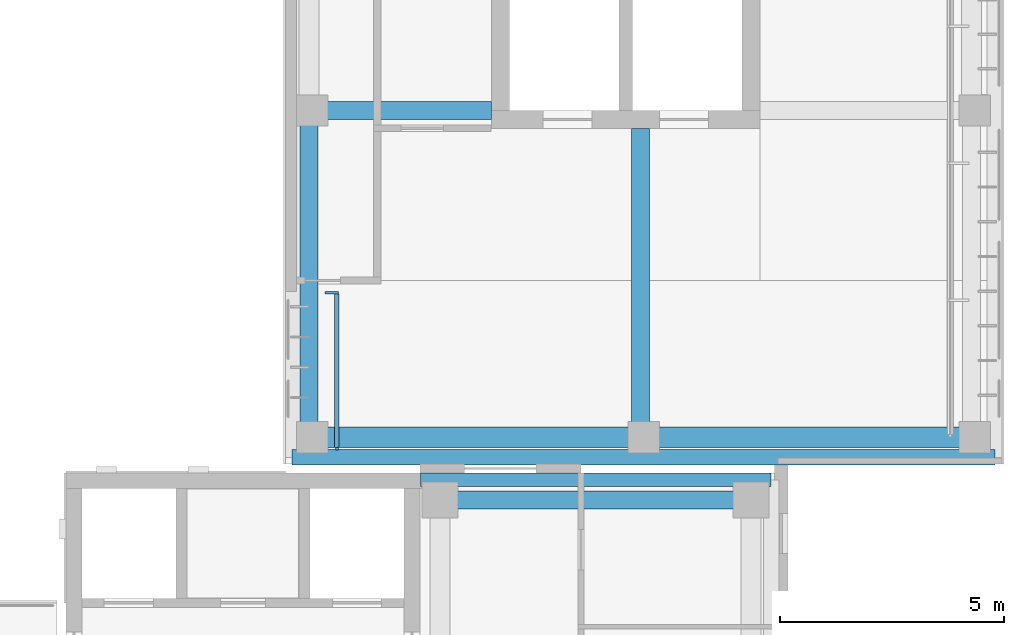
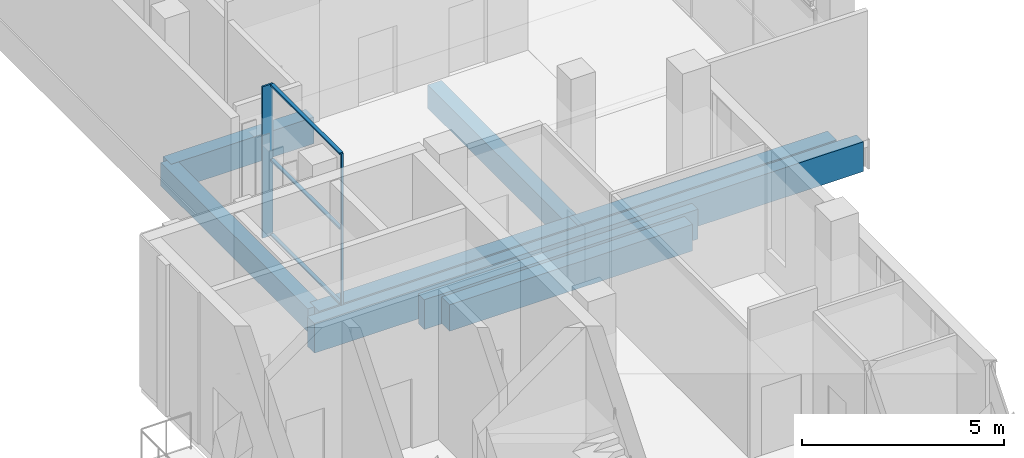
# One storey, part 27 of 73: 8 beams, 5 members, 1 element without a shape of its own.
"""IFC4 building model written with IfcOpenShell, lengths in metres."""

from ifc_helpers import new_model, si_unit, direction, frame, origin, origin_2d, place, context, subcontext, project, spatial, rectangle, extrude, material, material_profile, profile_set, type_object, element, aggregate, save


model = new_model("IFC4")

# Units and contexts
model_context = context("Model", 3, precision=1e-05, world=origin(), true_north=direction((0.0, 1.0)))
body_context = subcontext(model_context, "Body", "Model", "MODEL_VIEW")
ifc_project = project(units=[si_unit("LENGTHUNIT", "METRE"), si_unit("AREAUNIT", "SQUARE_METRE"), si_unit("VOLUMEUNIT", "CUBIC_METRE"), si_unit("PLANEANGLEUNIT", "RADIAN"), si_unit("MASSUNIT", "GRAM", prefix="KILO")], contexts=[model_context])

# Site, building, storey
site_placement = place(None, origin())
site = spatial("IfcSite", under=ifc_project, at=site_placement, CompositionType="ELEMENT")
building_placement = place(site_placement, origin())
building = spatial("IfcBuilding", under=site, at=building_placement, Name="Lantern Court Media Centre", CompositionType="ELEMENT")
storey_placement = place(building_placement, frame((0.0, 0.0, 24.0)))
storey = spatial("IfcBuildingStorey", under=building, at=storey_placement, Name="L05", CompositionType="ELEMENT", Elevation=24.0)

# Curtain wall, members
ifc_material_1 = material(Name="Curtain wall bay 2400")
curtain_wall_type = type_object("IfcCurtainWallType", Name="Curtain wall bay 2400", PredefinedType="NOTDEFINED", material=ifc_material_1)
curtain_wall_placement = place(storey_placement, origin())
curtain_wall = element("IfcCurtainWall", 1, at=curtain_wall_placement, inside=storey, type_object=curtain_wall_type, Name="Curtain wall E inner L05", PredefinedType="NOTDEFINED")
ifc_material_2 = material(Name="Anodised aluminium", Category="aluminium")
ifc_material_profile_1 = material_profile(ifc_material_2, rectangle(XDim=0.300048828125, YDim=0.050048828125, at=origin_2d()), Name="AL 50x300")
ifc_profile_set_1 = profile_set([ifc_material_profile_1], Name="Anodised aluminium")
member_type_1 = type_object("IfcMemberType", Name="Curtain wall mullion 50x300", PredefinedType="MULLION", material=ifc_profile_set_1)
member_1_placement = place(storey_placement, frame((86.030029296875, 67.925048828125, 0.0), z_axis=(0.0, 0.0, 1.0), x_axis=(-1.0, 0.0, 0.0)))
member_1 = element("IfcMember", 2, at=member_1_placement, type_object=member_type_1, Name="CW2 mullion 2", PredefinedType="MULLION", context=body_context, shape_type="SweptSolid", body=[
    extrude(rectangle(XDim=0.300048828125, YDim=0.050048828125, at=origin_2d()), origin(), (0.0, 0.0, 1.0), 4.580078125),
])
ifc_material_profile_2 = material_profile(ifc_material_2, rectangle(XDim=0.06005859375, YDim=0.050048828125, at=origin_2d()), Name="AL 50x60")
ifc_profile_set_2 = profile_set([ifc_material_profile_2], Name="Anodised aluminium")
member_type_2 = type_object("IfcMemberType", Name="Curtain wall mullion 50x60", PredefinedType="MULLION", material=ifc_profile_set_2)
member_2_placement = place(storey_placement, frame((86.14990234375, 64.445068359375, 0.0), z_axis=(0.0, 0.0, 1.0), x_axis=(-1.0, 0.0, 0.0)))
member_2 = element("IfcMember", 3, at=member_2_placement, type_object=member_type_2, Name="CW2 mullion 1", PredefinedType="MULLION", context=body_context, shape_type="SweptSolid", body=[
    extrude(rectangle(XDim=0.06005859375, YDim=0.050048828125, at=origin_2d()), origin(), (0.0, 0.0, 1.0), 4.580078125),
])
ifc_material_profile_3 = material_profile(ifc_material_2, rectangle(XDim=0.10009765625, YDim=0.050048828125, at=origin_2d()), Name="AL 50x100")
ifc_profile_set_3 = profile_set([ifc_material_profile_3], Name="Anodised aluminium")
member_type_3 = type_object("IfcMemberType", Name="Curtain wall transom 100x50", PredefinedType="USERDEFINED", material=ifc_profile_set_3)
member_3_placement = place(storey_placement, frame((86.14990234375, 64.469970703125, 0.02490234375), z_axis=(0.0, 1.0, 0.0), x_axis=(-1.0, 0.0, 0.0)))
member_3 = element("IfcMember", 4, at=member_3_placement, type_object=member_type_3, Name="CW2 transom 1.1", ObjectType="TRANSOM", PredefinedType="USERDEFINED", context=body_context, shape_type="SweptSolid", body=[
    extrude(rectangle(XDim=0.10009765625, YDim=0.050048828125, at=origin_2d()), origin(), (0.0, 0.0, 1.0), 3.429931640625),
])
member_4_placement = place(storey_placement, frame((86.14990234375, 64.469970703125, 2.2900390625), z_axis=(0.0, 1.0, 0.0), x_axis=(-1.0, 0.0, 0.0)))
member_4 = element("IfcMember", 5, at=member_4_placement, type_object=member_type_3, Name="CW2 transom 1.2", ObjectType="TRANSOM", PredefinedType="USERDEFINED", context=body_context, shape_type="SweptSolid", body=[
    extrude(rectangle(XDim=0.10009765625, YDim=0.050048828125, at=origin_2d()), origin(), (0.0, 0.0, 1.0), 3.429931640625),
])
member_5_placement = place(storey_placement, frame((86.14990234375, 64.469970703125, 4.554931640625), z_axis=(0.0, 1.0, 0.0), x_axis=(-1.0, 0.0, 0.0)))
member_5 = element("IfcMember", 6, at=member_5_placement, type_object=member_type_3, Name="CW2 transom 1.3", ObjectType="TRANSOM", PredefinedType="USERDEFINED", context=body_context, shape_type="SweptSolid", body=[
    extrude(rectangle(XDim=0.10009765625, YDim=0.050048828125, at=origin_2d()), origin(), (0.0, 0.0, 1.0), 3.429931640625),
])
aggregate(curtain_wall, [member_2, member_1, member_3, member_4, member_5])

# Beams
ifc_material_3 = material(Name="Concrete C35", Category="concrete")
ifc_material_profile_4 = material_profile(ifc_material_3, rectangle(XDim=0.300048828125, YDim=0.89990234375, at=origin_2d()), Name="RC 300x900")
ifc_profile_set_4 = profile_set([ifc_material_profile_4], Name="Concrete C35")
beam_type_1 = type_object("IfcBeamType", Name="RC BEAM 300x900", PredefinedType="BEAM", material=ifc_profile_set_4)
beam_1_placement = place(storey_placement, frame((88.02001953125, 63.75, -0.449951171875), z_axis=(1.0, 0.0, 0.0), x_axis=(0.0, 1.0, 0.0)))
element("IfcBeam", 7, at=beam_1_placement, inside=storey, type_object=beam_type_1, Name="EB-SE-L05-N", PredefinedType="BEAM", context=body_context, shape_type="SweptSolid", body=[
    extrude(rectangle(XDim=0.300048828125, YDim=0.89990234375, at=origin_2d()), origin(), (0.0, 0.0, 1.0), 7.830078125),
])
ifc_material_profile_5 = material_profile(ifc_material_3, rectangle(XDim=0.35009765625, YDim=0.89990234375, at=origin_2d()), Name="RC 350x900")
ifc_profile_set_5 = profile_set([ifc_material_profile_5], Name="Concrete C35")
beam_type_2 = type_object("IfcBeamType", Name="RC BEAM 350x900", PredefinedType="BEAM", material=ifc_profile_set_5)
beam_2_placement = place(storey_placement, frame((85.14990234375, 64.25, -0.449951171875), z_axis=(1.0, 0.0, 0.0), x_axis=(0.0, 1.0, 0.0)))
element("IfcBeam", 8, at=beam_2_placement, inside=storey, type_object=beam_type_2, Name="EB-E-L05-C", PredefinedType="BEAM", context=body_context, shape_type="SweptSolid", body=[
    extrude(rectangle(XDim=0.35009765625, YDim=0.89990234375, at=origin_2d()), origin(), (0.0, 0.0, 1.0), 15.7001953125),
])
ifc_material_profile_6 = material_profile(ifc_material_3, rectangle(XDim=0.39990234375, YDim=0.699951171875, at=origin_2d()), Name="RC 400x700")
ifc_profile_set_6 = profile_set([ifc_material_profile_6], Name="Concrete C35")
beam_type_3 = type_object("IfcBeamType", Name="RC BEAM 400x700", PredefinedType="BEAM", material=ifc_profile_set_6)
beam_3_placement = place(storey_placement, frame((85.527099609375, 64.699951171875, -0.35009765625), z_axis=(0.0, 1.0, 0.0), x_axis=(-1.0, 0.0, 0.0)))
element("IfcBeam", 9, at=beam_3_placement, inside=storey, type_object=beam_type_3, Name="LB-E-L05-0-0", PredefinedType="BEAM", context=body_context, shape_type="SweptSolid", body=[
    extrude(rectangle(XDim=0.39990234375, YDim=0.699951171875, at=origin_2d()), origin(), (0.0, 0.0, 1.0), 7.300048828125),
])
beam_4_placement = place(storey_placement, frame((92.927001953125, 64.699951171875, -0.35009765625), z_axis=(0.0, 1.0, 0.0), x_axis=(-1.0, 0.0, 0.0)))
element("IfcBeam", 10, at=beam_4_placement, inside=storey, type_object=beam_type_3, Name="LB-E-L05-1-0", PredefinedType="BEAM", context=body_context, shape_type="SweptSolid", body=[
    extrude(rectangle(XDim=0.39990234375, YDim=0.699951171875, at=origin_2d()), origin(), (0.0, 0.0, 1.0), 6.900146484375),
])
ifc_material_profile_7 = material_profile(ifc_material_3, rectangle(XDim=0.39990234375, YDim=0.800048828125, at=origin_2d()), Name="RC 400x800")
ifc_profile_set_7 = profile_set([ifc_material_profile_7], Name="Concrete C35")
beam_type_4 = type_object("IfcBeamType", Name="RC BEAM 400x800", PredefinedType="BEAM", material=ifc_profile_set_7)
beam_5_placement = place(storey_placement, frame((88.449951171875, 63.300048828125, -0.39990234375), z_axis=(1.0, 0.0, 0.0), x_axis=(0.0, 1.0, 0.0)))
element("IfcBeam", 11, at=beam_5_placement, inside=storey, type_object=beam_type_4, Name="BB-SE-L05-Y0-63", PredefinedType="BEAM", context=body_context, shape_type="SweptSolid", body=[
    extrude(rectangle(XDim=0.39990234375, YDim=0.800048828125, at=origin_2d()), origin(), (0.0, 0.0, 1.0), 6.949951171875),
])
beam_6_placement = place(storey_placement, frame((85.5166015625, 72.0, -0.39990234375), z_axis=(1.0, 0.0, 0.0), x_axis=(0.0, 1.0, 0.0)))
element("IfcBeam", 12, at=beam_6_placement, inside=storey, type_object=beam_type_4, Name="TB-E-L05-1-1", PredefinedType="BEAM", context=body_context, shape_type="SweptSolid", body=[
    extrude(rectangle(XDim=0.39990234375, YDim=0.800048828125, at=origin_2d()), origin(), (0.0, 0.0, 1.0), 4.08349609375),
])
ifc_material_profile_8 = material_profile(ifc_material_3, rectangle(XDim=0.449951171875, YDim=0.800048828125, at=origin_2d()), Name="RC 450x800")
ifc_profile_set_8 = profile_set([ifc_material_profile_8], Name="Concrete C35")
beam_type_5 = type_object("IfcBeamType", Name="RC BEAM 450x800", PredefinedType="BEAM", material=ifc_profile_set_8)
beam_7_placement = place(storey_placement, frame((85.5166015625, 64.699951171875, -0.39990234375), z_axis=(1.0, 0.0, 0.0), x_axis=(0.0, 1.0, 0.0)))
element("IfcBeam", 13, at=beam_7_placement, inside=storey, type_object=beam_type_5, Name="TB-E-L05-0-1", PredefinedType="BEAM", context=body_context, shape_type="SweptSolid", body=[
    extrude(rectangle(XDim=0.449951171875, YDim=0.800048828125, at=origin_2d()), origin(), (0.0, 0.0, 1.0), 7.400146484375),
])
beam_8_placement = place(storey_placement, frame((92.916748046875, 64.699951171875, -0.39990234375), z_axis=(1.0, 0.0, 0.0), x_axis=(0.0, 1.0, 0.0)))
element("IfcBeam", 14, at=beam_8_placement, inside=storey, type_object=beam_type_5, Name="TB-E-L05-0-2", PredefinedType="BEAM", context=body_context, shape_type="SweptSolid", body=[
    extrude(rectangle(XDim=0.449951171875, YDim=0.800048828125, at=origin_2d()), origin(), (0.0, 0.0, 1.0), 7.39990234375),
])

save(model, "model.ifc")
